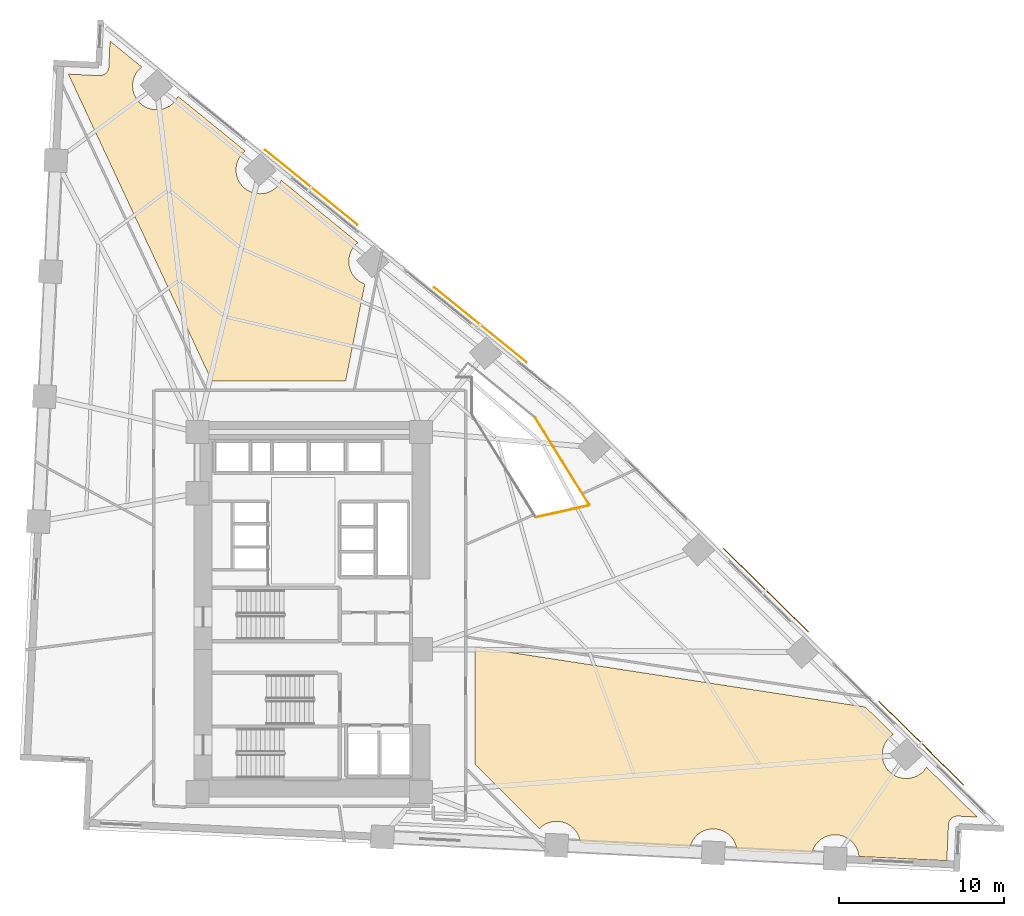
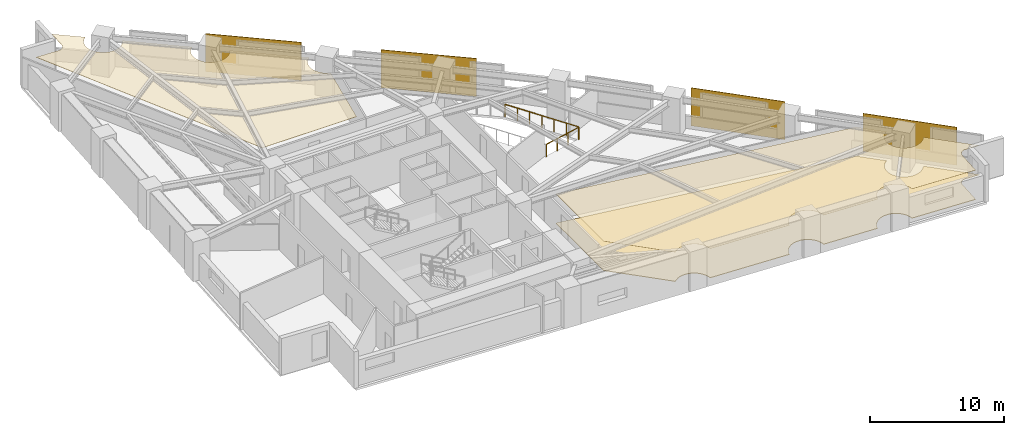
# One storey, part 17 of 17: 4 shading devices, 3 coverings, 2 railings.
"""IFC4 building model written with IfcOpenShell, lengths in metres."""

import ifcopenshell
import ifcopenshell.guid

model = None  # the IFC model being written
_history = None  # IfcOwnerHistory: only IFC2X3 demands one
_inside = {}  # id of a spatial element -> (the spatial element, [elements in it])
_under = {}  # id of a project, library or spatial element -> (it, [spatial elements below it])
_declared = {}  # id of a project -> (the project, [libraries it declares])
_typed = {}  # id of a type object -> (the type object, [elements of that type])
_made_of = {}  # id of a material, layer set ... -> (it, [elements and type objects made of it])


def new_model(schema):
    """Start an empty IFC model of exactly this schema.

    Asked for "IFC4X3", IfcOpenShell would pick the latest addendum, in which some entities
    have other attributes; the version numbers below select the first issue.
    IFC2X3 requires an IfcOwnerHistory on every rooted entity: one is made here for all.
    """
    global model, _history
    if schema == "IFC4X3":
        model = ifcopenshell.file(schema_version=(4, 3, 0, 0))
    else:
        model = ifcopenshell.file(schema=schema)
    _inside.clear()
    _under.clear()
    _declared.clear()
    _typed.clear()
    _made_of.clear()
    _history = None
    if model.schema == "IFC2X3":
        org = make("IfcOrganization", Name="unknown")
        user = make(
            "IfcPersonAndOrganization",
            ThePerson=make("IfcPerson", FamilyName="unknown"),
            TheOrganization=org,
        )
        app = make(
            "IfcApplication",
            ApplicationDeveloper=org,
            Version="unknown",
            ApplicationFullName="unknown",
            ApplicationIdentifier="unknown",
        )
        _history = make(
            "IfcOwnerHistory",
            OwningUser=user,
            OwningApplication=app,
            ChangeAction="ADDED",
            CreationDate=0,
        )
    return model


def make(cls, **values):
    """One entity of the class cls with the attributes given. An attribute that is None is left unset."""
    return model.create_entity(
        cls, **{name: value for name, value in values.items() if value is not None}
    )


def rooted(cls, **values):
    """An entity with a GlobalId (a new one), such as an element, a storey or a relation."""
    return make(cls, GlobalId=ifcopenshell.guid.new(), OwnerHistory=_history, **values)


def si_unit(unit_type, name, prefix=None):
    """IfcSIUnit, for example si_unit("LENGTHUNIT", "METRE", prefix="MILLI")."""
    return make("IfcSIUnit", UnitType=unit_type, Prefix=prefix, Name=name)


def assignment(units):
    """IfcUnitAssignment: the units of a project."""
    return None if units is None else make("IfcUnitAssignment", Units=units)


def point(xyz):
    """IfcCartesianPoint."""
    return None if xyz is None else make("IfcCartesianPoint", Coordinates=xyz)


def direction(xyz):
    """IfcDirection."""
    return None if xyz is None else make("IfcDirection", DirectionRatios=xyz)


def frame(location, z_axis=None, x_axis=None):
    """IfcAxis2Placement3D, a coordinate frame: its origin and axes. An axis left out is left unset."""
    return make(
        "IfcAxis2Placement3D",
        Location=point(location),
        Axis=direction(z_axis),
        RefDirection=direction(x_axis),
    )


def frame_2d(location, x_axis=None):
    """IfcAxis2Placement2D, a coordinate frame in the plane: its origin and x axis."""
    return make(
        "IfcAxis2Placement2D", Location=point(location), RefDirection=direction(x_axis)
    )


def origin():
    """The frame at (0, 0, 0) with its axes left unset."""
    return frame((0.0, 0.0, 0.0))


def origin_2d():
    """The frame at (0, 0) in the plane with its x axis left unset."""
    return frame_2d((0.0, 0.0))


def place(relative_to, where):
    """IfcLocalPlacement: puts the frame where relative to a parent placement (None: the world)."""
    return make(
        "IfcLocalPlacement", PlacementRelTo=relative_to, RelativePlacement=where
    )


def context(
    kind, dimensions, precision=None, world=None, true_north=None, identifier=None
):
    """IfcGeometricRepresentationContext, for example the 3D "Model" context."""
    return make(
        "IfcGeometricRepresentationContext",
        ContextIdentifier=identifier,
        ContextType=kind,
        CoordinateSpaceDimension=dimensions,
        Precision=precision,
        WorldCoordinateSystem=world,
        TrueNorth=true_north,
    )


def subcontext(parent, identifier, kind, view, scale=None):
    """IfcGeometricRepresentationSubContext, for example "Body" below "Model"."""
    return make(
        "IfcGeometricRepresentationSubContext",
        ContextIdentifier=identifier,
        ContextType=kind,
        ParentContext=parent,
        TargetScale=scale,
        TargetView=view,
    )


def project(units=None, contexts=None):
    """IfcProject with its units and contexts."""
    return rooted(
        "IfcProject",
        Name="project",
        RepresentationContexts=contexts,
        UnitsInContext=assignment(units),
    )


def spatial(cls, under=None, at=None, **own):
    """A site, building, storey or space (cls), placed at a placement, below another one or the project."""
    s = rooted(cls, ObjectPlacement=at, **own)
    if under is not None:
        _under.setdefault(under.id(), (under, []))[1].append(s)
    return s


def polyline(points):
    """IfcPolyline through the points."""
    return make("IfcPolyline", Points=[point(p) for p in points])


def profile(cls, at=None, kind="AREA", **sizes):
    """A parametric profile (cls). Its sizes go by their IFC names, for example OverallWidth=200.0."""
    return make(cls, ProfileType=kind, Position=at, **sizes)


def rectangle(**sizes):
    """IfcRectangleProfileDef."""
    return profile("IfcRectangleProfileDef", **sizes)


def circle(**sizes):
    """IfcCircleProfileDef."""
    return profile("IfcCircleProfileDef", **sizes)


def outline(outer, holes=None, kind="AREA"):
    """IfcArbitraryClosedProfileDef: a profile drawn as a closed curve; with holes, ...WithVoids."""
    if holes is None:
        return make("IfcArbitraryClosedProfileDef", ProfileType=kind, OuterCurve=outer)
    return make(
        "IfcArbitraryProfileDefWithVoids",
        ProfileType=kind,
        OuterCurve=outer,
        InnerCurves=holes,
    )


def extrude(swept, where, along, depth):
    """IfcExtrudedAreaSolid: the profile swept, set in the frame where, extruded along a direction by depth."""
    return make(
        "IfcExtrudedAreaSolid",
        SweptArea=swept,
        Position=where,
        ExtrudedDirection=direction(along),
        Depth=depth,
    )


def shape(context_of_items, identifier, shape_type, items):
    """IfcShapeRepresentation: the items that make up one representation, for example the "Body"."""
    return make(
        "IfcShapeRepresentation",
        ContextOfItems=context_of_items,
        RepresentationIdentifier=identifier,
        RepresentationType=shape_type,
        Items=items,
    )


def material(Name=None, Category=None):
    """IfcMaterial."""
    return make("IfcMaterial", Name=Name, Category=Category)


def layer(
    of_material, thickness, ventilated=None, Name=None, Category=None, Priority=None
):
    """IfcMaterialLayer: one layer of a wall or slab, of a material (None: an air gap)."""
    return make(
        "IfcMaterialLayer",
        Material=of_material,
        LayerThickness=thickness,
        IsVentilated=ventilated,
        Name=Name,
        Category=Category,
        Priority=Priority,
    )


def layer_set(layers, Name=None):
    """IfcMaterialLayerSet."""
    return make("IfcMaterialLayerSet", MaterialLayers=layers, LayerSetName=Name)


def made_of(thing, what):
    """Note that an element or type object is made of a material, layer set ...; save() writes the relation."""
    if what is not None:
        _made_of.setdefault(what.id(), (what, []))[1].append(thing)
    return thing


def type_object(cls, material=None, **own):
    """A type object (cls), such as IfcWallType, which elements share."""
    return made_of(rooted(cls, **own), material)


def element(
    cls,
    number,
    at=None,
    inside=None,
    cuts=None,
    type_object=None,
    material=None,
    context=None,
    identifier="Body",
    shape_type=None,
    held_by="IfcProductDefinitionShape",
    body=None,
    shapes=None,
    **own,
):
    """One element of the class cls, such as IfcWall. Its Tag is "e" and its number.

    at: its placement. inside: the storey or other place that contains it. cuts: it is an
    opening in that element (IfcRelVoidsElement). A single representation is given by context,
    identifier, shape_type and body (its items); several are given by shapes. held_by: the class
    of the entity that holds the representations. save() writes the other relations.
    """
    e = rooted(cls, Tag="e%d" % number, ObjectPlacement=at, **own)
    if body is not None:
        shapes = [shape(context, identifier, shape_type, body)]
    if shapes is not None:
        e.Representation = make(held_by, Representations=shapes)
    if inside is not None:
        _inside.setdefault(inside.id(), (inside, []))[1].append(e)
    if cuts is not None:
        rooted(
            "IfcRelVoidsElement", RelatingBuildingElement=cuts, RelatedOpeningElement=e
        )
    if type_object is not None:
        _typed.setdefault(type_object.id(), (type_object, []))[1].append(e)
    return made_of(e, material)


def aggregate(whole, parts):
    """IfcRelAggregates: a whole, such as a stair, and the parts it consists of."""
    return rooted("IfcRelAggregates", RelatingObject=whole, RelatedObjects=parts)


def save(model, path):
    """Write the relations noted so far, then the file.

    IfcRelAggregates (storeys below a building ...), IfcRelContainedInSpatialStructure (elements
    in a storey), IfcRelDefinesByType, IfcRelAssociatesMaterial and IfcRelDeclares: one each for
    every whole, place, type object, material and project.
    """
    for whole, parts in _under.values():
        aggregate(whole, parts)
    for where, things in _inside.values():
        rooted(
            "IfcRelContainedInSpatialStructure",
            RelatedElements=things,
            RelatingStructure=where,
        )
    for kind, things in _typed.values():
        rooted("IfcRelDefinesByType", RelatedObjects=things, RelatingType=kind)
    for what, things in _made_of.values():
        rooted("IfcRelAssociatesMaterial", RelatedObjects=things, RelatingMaterial=what)
    for by, libraries in _declared.values():
        rooted("IfcRelDeclares", RelatingContext=by, RelatedDefinitions=libraries)
    model.write(path)


model = new_model("IFC4")

# Units and contexts
model_context = context("Model", 3, precision=1e-05, world=origin(), true_north=direction((0.0, 1.0)))
body_context = subcontext(model_context, "Body", "Model", "MODEL_VIEW")
ifc_project = project(units=[si_unit("LENGTHUNIT", "METRE"), si_unit("AREAUNIT", "SQUARE_METRE"), si_unit("VOLUMEUNIT", "CUBIC_METRE"), si_unit("PLANEANGLEUNIT", "RADIAN"), si_unit("MASSUNIT", "GRAM", prefix="KILO")], contexts=[model_context])

# Site, building, storey
site_placement = place(None, origin())
site = spatial("IfcSite", under=ifc_project, at=site_placement, CompositionType="ELEMENT")
building_placement = place(site_placement, origin())
building = spatial("IfcBuilding", under=site, at=building_placement, Name="Narakoshi Arena Tower", CompositionType="ELEMENT")
storey_placement = place(building_placement, frame((0.0, 0.0, 33.89990234375)))
storey = spatial("IfcBuildingStorey", under=building, at=storey_placement, Name="L08", CompositionType="ELEMENT", Elevation=33.89990234375)

# Coverings
ifc_material_1 = material(Name="Acoustic mineral-fibre ceiling tile")
ifc_layer_1 = layer(ifc_material_1, 0.02001953125)
ifc_layer_set_1 = layer_set([ifc_layer_1], Name="Acoustic mineral-fibre ceiling tile")
covering_type_1 = type_object("IfcCoveringType", Name="COV-CLG-AC20", PredefinedType="CEILING", material=ifc_layer_set_1)
covering_1_placement = place(storey_placement, frame((0.0, 0.0, 2.670166015625)))
element("IfcCovering", 1, at=covering_1_placement, inside=storey, type_object=covering_type_1, Name="L08 Suspended Acoustic Ceiling 1", PredefinedType="CEILING", context=body_context, shape_type="SweptSolid", body=[
    extrude(outline(polyline([(118.080810546875, 33.24267578125), (118.02685546875, 33.24267578125), (117.97314453125, 33.2373046875), (117.920166015625, 33.226806640625), (117.868408203125, 33.2109375), (117.818603515625, 33.190185546875), (117.77099609375, 33.164794921875), (117.726318359375, 33.134765625), (117.6845703125, 33.100341796875), (117.646484375, 33.062255859375), (117.6123046875, 33.0205078125), (117.582275390625, 32.9755859375), (117.556884765625, 32.927978515625), (117.536376953125, 32.8779296875), (117.520751953125, 32.826416015625), (117.51025390625, 32.7734375), (117.5048828125, 32.7197265625), (117.400390625, 30.542236328125), (112.07958984375, 30.7978515625), (112.079345703125, 30.803955078125), (112.05859375, 30.94482421875), (112.02392578125, 31.082763671875), (111.97607421875, 31.216796875), (111.915283203125, 31.345458984375), (111.842041015625, 31.467529296875), (111.75732421875, 31.581787109375), (111.66162109375, 31.687255859375), (111.556396484375, 31.78271484375), (111.44189453125, 31.867431640625), (111.31982421875, 31.940673828125), (111.19140625, 32.00146484375), (111.057373046875, 32.049560546875), (110.919189453125, 32.083984375), (110.778564453125, 32.10498046875), (110.636474609375, 32.11181640625), (110.494384765625, 32.10498046875), (110.353515625, 32.083984375), (110.215576171875, 32.049560546875), (110.08154296875, 32.00146484375), (109.952880859375, 31.940673828125), (109.830810546875, 31.867431640625), (109.716552734375, 31.78271484375), (109.611083984375, 31.687255859375), (109.515380859375, 31.581787109375), (109.430908203125, 31.467529296875), (109.357666015625, 31.345458984375), (109.296875, 31.216796875), (109.248779296875, 31.082763671875), (109.21435546875, 30.94482421875), (109.212890625, 30.935546875), (104.6962890625, 31.15234375), (104.69580078125, 31.15869140625), (104.675048828125, 31.29931640625), (104.640380859375, 31.4375), (104.592529296875, 31.5712890625), (104.53173828125, 31.699951171875), (104.45849609375, 31.822021484375), (104.373779296875, 31.936279296875), (104.2783203125, 32.041748046875), (104.1728515625, 32.137451171875), (104.05859375, 32.22216796875), (103.936279296875, 32.29541015625), (103.807861328125, 32.356201171875), (103.673828125, 32.404052734375), (103.535888671875, 32.438720703125), (103.39501953125, 32.45947265625), (103.2529296875, 32.466552734375), (103.11083984375, 32.45947265625), (102.969970703125, 32.438720703125), (102.83203125, 32.404052734375), (102.697998046875, 32.356201171875), (102.5693359375, 32.29541015625), (102.447265625, 32.22216796875), (102.3330078125, 32.137451171875), (102.2275390625, 32.041748046875), (102.132080078125, 31.936279296875), (102.04736328125, 31.822021484375), (101.97412109375, 31.699951171875), (101.913330078125, 31.5712890625), (101.865234375, 31.4375), (101.830810546875, 31.29931640625), (101.829345703125, 31.290283203125), (95.203125, 31.6083984375), (95.202880859375, 31.614501953125), (95.181884765625, 31.75537109375), (95.1474609375, 31.893310546875), (95.099609375, 32.02734375), (95.038818359375, 32.156005859375), (94.965576171875, 32.278076171875), (94.880859375, 32.392333984375), (94.78515625, 32.497802734375), (94.6796875, 32.593505859375), (94.5654296875, 32.677978515625), (94.443359375, 32.751220703125), (94.314697265625, 32.81201171875), (94.180908203125, 32.860107421875), (94.042724609375, 32.89453125), (93.902099609375, 32.91552734375), (93.760009765625, 32.922607421875), (93.617919921875, 32.91552734375), (93.47705078125, 32.89453125), (93.339111328125, 32.860107421875), (93.205078125, 32.81201171875), (93.076416015625, 32.751220703125), (92.954345703125, 32.677978515625), (92.840087890625, 32.593505859375), (92.734619140625, 32.497802734375), (92.72802734375, 32.490478515625), (88.815673828125, 36.39599609375), (88.815673828125, 43.489990234375), (112.47509765625, 39.84814453125), (114.159912109375, 38.189453125), (114.13671875, 38.175537109375), (114.022216796875, 38.0908203125), (113.9169921875, 37.9951171875), (113.8212890625, 37.889892578125), (113.736572265625, 37.775390625), (113.663330078125, 37.6533203125), (113.6025390625, 37.52490234375), (113.5546875, 37.390869140625), (113.52001953125, 37.252685546875), (113.499267578125, 37.112060546875), (113.4921875, 36.969970703125), (113.499267578125, 36.827880859375), (113.52001953125, 36.68701171875), (113.5546875, 36.549072265625), (113.6025390625, 36.4150390625), (113.663330078125, 36.286376953125), (113.736572265625, 36.164306640625), (113.8212890625, 36.050048828125), (113.9169921875, 35.944580078125), (114.022216796875, 35.84912109375), (114.13671875, 35.764404296875), (114.2587890625, 35.691162109375), (114.38720703125, 35.63037109375), (114.521240234375, 35.582275390625), (114.6591796875, 35.5478515625), (114.800048828125, 35.52685546875), (114.942138671875, 35.52001953125), (115.084228515625, 35.52685546875), (115.22509765625, 35.5478515625), (115.363037109375, 35.582275390625), (115.4970703125, 35.63037109375), (115.625732421875, 35.691162109375), (115.747802734375, 35.764404296875), (115.862060546875, 35.84912109375), (115.967529296875, 35.944580078125), (116.06298828125, 36.050048828125), (116.147705078125, 36.164306640625), (116.17333984375, 36.206787109375), (119.239990234375, 33.18701171875), (118.080810546875, 33.24267578125)])), origin(), (0.0, 0.0, 1.0), 0.02001953125),
])
ifc_material_2 = material(Name="Slatted oak acoustic timber baffle", Category="wood")
ifc_layer_2 = layer(ifc_material_2, 0.034912109375)
ifc_layer_set_2 = layer_set([ifc_layer_2], Name="Slatted oak acoustic timber baffle")
covering_type_2 = type_object("IfcCoveringType", Name="COV-CLG-WD35", PredefinedType="CEILING", material=ifc_layer_set_2)
covering_2_placement = place(storey_placement, frame((0.0, 0.0, 2.655029296875)))
element("IfcCovering", 2, at=covering_2_placement, inside=storey, type_object=covering_type_2, Name="L08 Suspended Acoustic Ceiling 2", PredefinedType="CEILING", context=body_context, shape_type="SweptSolid", body=[
    extrude(outline(polyline([(66.06298828125, 78.10009765625), (66.1171875, 78.10009765625), (66.1708984375, 78.10546875), (66.2236328125, 78.1162109375), (66.275390625, 78.1318359375), (66.3251953125, 78.152587890625), (66.372802734375, 78.177978515625), (66.41748046875, 78.2080078125), (66.459228515625, 78.242431640625), (66.497314453125, 78.280517578125), (66.531494140625, 78.322265625), (66.5615234375, 78.3671875), (66.5869140625, 78.414794921875), (66.607666015625, 78.46484375), (66.623291015625, 78.516357421875), (66.633544921875, 78.5693359375), (66.638916015625, 78.623046875), (66.7138671875, 80.185302734375), (68.63623046875, 78.622802734375), (68.611083984375, 78.60400390625), (68.505615234375, 78.508544921875), (68.41015625, 78.403076171875), (68.325439453125, 78.288818359375), (68.252197265625, 78.166748046875), (68.19140625, 78.0380859375), (68.143310546875, 77.904052734375), (68.10888671875, 77.76611328125), (68.087890625, 77.625244140625), (68.0810546875, 77.483154296875), (68.087890625, 77.341064453125), (68.10888671875, 77.2001953125), (68.143310546875, 77.062255859375), (68.19140625, 76.92822265625), (68.252197265625, 76.7998046875), (68.325439453125, 76.677490234375), (68.41015625, 76.563232421875), (68.505615234375, 76.4580078125), (68.611083984375, 76.3623046875), (68.725341796875, 76.277587890625), (68.847412109375, 76.204345703125), (68.97607421875, 76.1435546875), (69.110107421875, 76.095703125), (69.248046875, 76.06103515625), (69.388916015625, 76.040283203125), (69.531005859375, 76.033203125), (69.673095703125, 76.040283203125), (69.81396484375, 76.06103515625), (69.951904296875, 76.095703125), (70.0859375, 76.1435546875), (70.214599609375, 76.204345703125), (70.336669921875, 76.277587890625), (70.450927734375, 76.3623046875), (70.556396484375, 76.4580078125), (70.65185546875, 76.563232421875), (70.736572265625, 76.677490234375), (70.809814453125, 76.7998046875), (70.8291015625, 76.84033203125), (74.899658203125, 73.531982421875), (74.87451171875, 73.51318359375), (74.76904296875, 73.417724609375), (74.67333984375, 73.312255859375), (74.588623046875, 73.197998046875), (74.515380859375, 73.075927734375), (74.45458984375, 72.947265625), (74.40673828125, 72.813232421875), (74.372314453125, 72.67529296875), (74.351318359375, 72.534423828125), (74.34423828125, 72.392333984375), (74.351318359375, 72.250244140625), (74.372314453125, 72.109619140625), (74.40673828125, 71.971435546875), (74.45458984375, 71.83740234375), (74.515380859375, 71.708984375), (74.588623046875, 71.5869140625), (74.67333984375, 71.472412109375), (74.76904296875, 71.3671875), (74.87451171875, 71.271484375), (74.98876953125, 71.186767578125), (75.11083984375, 71.113525390625), (75.239501953125, 71.052734375), (75.373291015625, 71.0048828125), (75.511474609375, 70.97021484375), (75.652099609375, 70.949462890625), (75.794189453125, 70.9423828125), (75.936279296875, 70.949462890625), (76.0771484375, 70.97021484375), (76.215087890625, 71.0048828125), (76.34912109375, 71.052734375), (76.477783203125, 71.113525390625), (76.599853515625, 71.186767578125), (76.714111328125, 71.271484375), (76.819580078125, 71.3671875), (76.915283203125, 71.472412109375), (77.0, 71.5869140625), (77.072998046875, 71.708984375), (77.09228515625, 71.749755859375), (81.732421875, 67.978271484375), (81.70703125, 67.959716796875), (81.601806640625, 67.864013671875), (81.506103515625, 67.758544921875), (81.42138671875, 67.644287109375), (81.34814453125, 67.522216796875), (81.287353515625, 67.3935546875), (81.239501953125, 67.259521484375), (81.204833984375, 67.12158203125), (81.18408203125, 66.980712890625), (81.177001953125, 66.838623046875), (81.18408203125, 66.696533203125), (81.204833984375, 66.555908203125), (81.239501953125, 66.417724609375), (81.287353515625, 66.28369140625), (81.34814453125, 66.1552734375), (81.42138671875, 66.033203125), (81.506103515625, 65.918701171875), (81.601806640625, 65.8134765625), (81.70703125, 65.7177734375), (81.8212890625, 65.633056640625), (81.943603515625, 65.559814453125), (82.072021484375, 65.4990234375), (82.144287109375, 65.473388671875), (80.985107421875, 59.592529296875), (72.880615234375, 59.592529296875), (64.188720703125, 78.190185546875), (66.06298828125, 78.10009765625)])), origin(), (0.0, 0.0, 1.0), 0.03515625),
])
ifc_material_3 = material(Name="Raised steel access floor panel", Category="steel")
ifc_layer_3 = layer(ifc_material_3, 0.044921875)
ifc_layer_set_3 = layer_set([ifc_layer_3], Name="Raised steel access floor panel")
covering_type_3 = type_object("IfcCoveringType", Name="COV-FLR-RF45", PredefinedType="FLOORING", material=ifc_layer_set_3)
covering_3_placement = place(storey_placement, origin())
element("IfcCovering", 3, at=covering_3_placement, inside=storey, type_object=covering_type_3, Name="L08 Raised Steel Access Floor", PredefinedType="FLOORING", context=body_context, shape_type="SweptSolid", body=[
    extrude(outline(polyline([(118.080810546875, 33.24267578125), (118.02685546875, 33.24267578125), (117.97314453125, 33.2373046875), (117.920166015625, 33.226806640625), (117.868408203125, 33.2109375), (117.818603515625, 33.190185546875), (117.77099609375, 33.164794921875), (117.726318359375, 33.134765625), (117.6845703125, 33.100341796875), (117.646484375, 33.062255859375), (117.6123046875, 33.0205078125), (117.582275390625, 32.9755859375), (117.556884765625, 32.927978515625), (117.536376953125, 32.8779296875), (117.520751953125, 32.826416015625), (117.51025390625, 32.7734375), (117.5048828125, 32.7197265625), (117.400390625, 30.542236328125), (112.07958984375, 30.7978515625), (112.079345703125, 30.803955078125), (112.05859375, 30.94482421875), (112.02392578125, 31.082763671875), (111.97607421875, 31.216796875), (111.915283203125, 31.345458984375), (111.842041015625, 31.467529296875), (111.75732421875, 31.581787109375), (111.66162109375, 31.687255859375), (111.556396484375, 31.78271484375), (111.44189453125, 31.867431640625), (111.31982421875, 31.940673828125), (111.19140625, 32.00146484375), (111.057373046875, 32.049560546875), (110.919189453125, 32.083984375), (110.778564453125, 32.10498046875), (110.636474609375, 32.11181640625), (110.494384765625, 32.10498046875), (110.353515625, 32.083984375), (110.215576171875, 32.049560546875), (110.08154296875, 32.00146484375), (109.952880859375, 31.940673828125), (109.830810546875, 31.867431640625), (109.716552734375, 31.78271484375), (109.611083984375, 31.687255859375), (109.515380859375, 31.581787109375), (109.430908203125, 31.467529296875), (109.357666015625, 31.345458984375), (109.296875, 31.216796875), (109.248779296875, 31.082763671875), (109.21435546875, 30.94482421875), (109.212890625, 30.935546875), (104.6962890625, 31.15234375), (104.69580078125, 31.15869140625), (104.675048828125, 31.29931640625), (104.640380859375, 31.4375), (104.592529296875, 31.5712890625), (104.53173828125, 31.699951171875), (104.45849609375, 31.822021484375), (104.373779296875, 31.936279296875), (104.2783203125, 32.041748046875), (104.1728515625, 32.137451171875), (104.05859375, 32.22216796875), (103.936279296875, 32.29541015625), (103.807861328125, 32.356201171875), (103.673828125, 32.404052734375), (103.535888671875, 32.438720703125), (103.39501953125, 32.45947265625), (103.2529296875, 32.466552734375), (103.11083984375, 32.45947265625), (102.969970703125, 32.438720703125), (102.83203125, 32.404052734375), (102.697998046875, 32.356201171875), (102.5693359375, 32.29541015625), (102.447265625, 32.22216796875), (102.3330078125, 32.137451171875), (102.2275390625, 32.041748046875), (102.132080078125, 31.936279296875), (102.04736328125, 31.822021484375), (101.97412109375, 31.699951171875), (101.913330078125, 31.5712890625), (101.865234375, 31.4375), (101.830810546875, 31.29931640625), (101.829345703125, 31.290283203125), (95.203125, 31.6083984375), (95.202880859375, 31.614501953125), (95.181884765625, 31.75537109375), (95.1474609375, 31.893310546875), (95.099609375, 32.02734375), (95.038818359375, 32.156005859375), (94.965576171875, 32.278076171875), (94.880859375, 32.392333984375), (94.78515625, 32.497802734375), (94.6796875, 32.593505859375), (94.5654296875, 32.677978515625), (94.443359375, 32.751220703125), (94.314697265625, 32.81201171875), (94.180908203125, 32.860107421875), (94.042724609375, 32.89453125), (93.902099609375, 32.91552734375), (93.760009765625, 32.922607421875), (93.617919921875, 32.91552734375), (93.47705078125, 32.89453125), (93.339111328125, 32.860107421875), (93.205078125, 32.81201171875), (93.076416015625, 32.751220703125), (92.954345703125, 32.677978515625), (92.840087890625, 32.593505859375), (92.734619140625, 32.497802734375), (92.72802734375, 32.490478515625), (88.815673828125, 36.39599609375), (88.815673828125, 43.489990234375), (112.47509765625, 39.84814453125), (114.159912109375, 38.189453125), (114.13671875, 38.175537109375), (114.022216796875, 38.0908203125), (113.9169921875, 37.9951171875), (113.8212890625, 37.889892578125), (113.736572265625, 37.775390625), (113.663330078125, 37.6533203125), (113.6025390625, 37.52490234375), (113.5546875, 37.390869140625), (113.52001953125, 37.252685546875), (113.499267578125, 37.112060546875), (113.4921875, 36.969970703125), (113.499267578125, 36.827880859375), (113.52001953125, 36.68701171875), (113.5546875, 36.549072265625), (113.6025390625, 36.4150390625), (113.663330078125, 36.286376953125), (113.736572265625, 36.164306640625), (113.8212890625, 36.050048828125), (113.9169921875, 35.944580078125), (114.022216796875, 35.84912109375), (114.13671875, 35.764404296875), (114.2587890625, 35.691162109375), (114.38720703125, 35.63037109375), (114.521240234375, 35.582275390625), (114.6591796875, 35.5478515625), (114.800048828125, 35.52685546875), (114.942138671875, 35.52001953125), (115.084228515625, 35.52685546875), (115.22509765625, 35.5478515625), (115.363037109375, 35.582275390625), (115.4970703125, 35.63037109375), (115.625732421875, 35.691162109375), (115.747802734375, 35.764404296875), (115.862060546875, 35.84912109375), (115.967529296875, 35.944580078125), (116.06298828125, 36.050048828125), (116.147705078125, 36.164306640625), (116.17333984375, 36.206787109375), (119.239990234375, 33.18701171875), (118.080810546875, 33.24267578125)])), origin(), (0.0, 0.0, 1.0), 0.045166015625),
])

# Railings
ifc_material_4 = material(Name="Brushed bronze stainless steel", Category="steel")
railing_type = type_object("IfcRailingType", Name="RL-GRD-1150", PredefinedType="GUARDRAIL", material=ifc_material_4)
railing_1_placement = place(storey_placement, frame((92.4658203125, 57.3818359375, 0.0)))
element("IfcRailing", 4, at=railing_1_placement, inside=storey, type_object=railing_type, Name="L08 Sky-Garden Atrium Void Guardrail 6", PredefinedType="GUARDRAIL", context=body_context, shape_type="SweptSolid", body=[
    extrude(circle(Radius=0.02392578125, at=origin_2d()), frame((0.0, 0.0, 1.1259765625), z_axis=(0.527635914903, -0.849470624157, 0.0), x_axis=(0.849470624157, 0.527635914903, 0.0)), (0.0, 0.0, 1.0), 6.208984375),
    extrude(circle(Radius=0.02099609375, at=origin_2d()), origin(), (0.0, 0.0, 1.0), 1.101806640625),
    extrude(circle(Radius=0.02099609375, at=origin_2d()), frame((0.5458984375, -0.879150390625, 0.0)), (0.0, 0.0, 1.0), 1.101806640625),
    extrude(circle(Radius=0.02099609375, at=origin_2d()), frame((1.092041015625, -1.758056640625, 0.0)), (0.0, 0.0, 1.0), 1.101806640625),
    extrude(circle(Radius=0.02099609375, at=origin_2d()), frame((1.63818359375, -2.63720703125, 0.0)), (0.0, 0.0, 1.0), 1.101806640625),
    extrude(circle(Radius=0.02099609375, at=origin_2d()), frame((2.18408203125, -3.516357421875, 0.0)), (0.0, 0.0, 1.0), 1.101806640625),
    extrude(circle(Radius=0.02099609375, at=origin_2d()), frame((2.72998046875, -4.395263671875, 0.0)), (0.0, 0.0, 1.0), 1.101806640625),
    extrude(circle(Radius=0.02099609375, at=origin_2d()), frame((3.276123046875, -5.2744140625, 0.0)), (0.0, 0.0, 1.0), 1.101806640625),
])
railing_2_placement = place(storey_placement, frame((95.72412109375, 52.064453125, 0.0)))
element("IfcRailing", 5, at=railing_2_placement, inside=storey, type_object=railing_type, Name="L08 Sky-Garden Atrium Void Guardrail 7", PredefinedType="GUARDRAIL", context=body_context, shape_type="SweptSolid", body=[
    extrude(circle(Radius=0.02392578125, at=origin_2d()), frame((0.0, 0.0, 1.1259765625), z_axis=(-0.975700925248, -0.219106605264, 0.0), x_axis=(0.219106605264, -0.975700925248, 0.0)), (0.0, 0.0, 1.0), 3.265869140625),
    extrude(circle(Radius=0.02099609375, at=origin_2d()), origin(), (0.0, 0.0, 1.0), 1.101806640625),
    extrude(circle(Radius=0.02099609375, at=origin_2d()), frame((-1.062255859375, -0.238525390625, 0.0)), (0.0, 0.0, 1.0), 1.101806640625),
    extrude(circle(Radius=0.02099609375, at=origin_2d()), frame((-2.124267578125, -0.47705078125, 0.0)), (0.0, 0.0, 1.0), 1.101806640625),
    extrude(circle(Radius=0.02099609375, at=origin_2d()), frame((-3.1865234375, -0.715576171875, 0.0)), (0.0, 0.0, 1.0), 1.101806640625),
])

# Shading devices
ifc_material_5 = material(Name="Perforated bronze ceramic-metal composite")
ifc_layer_4 = layer(ifc_material_5, 0.044921875)
ifc_layer_set_4 = layer_set([ifc_layer_4], Name="Perforated bronze ceramic-metal composite")
shading_device_type = type_object("IfcShadingDeviceType", Name="SHD-SCR-BRZ1", PredefinedType="USERDEFINED", material=ifc_layer_set_4)
for number, where, z_axis, x_axis, name in (
    (6, (115.85498046875, 37.660400390625, 0.0), (0.0, 0.0, 1.0), (-0.712540559713, 0.70163092204, 0.0), "L08 Perforated Bronze Solar Screen 1-1"),
    (7, (106.44970703125, 46.921875, 0.0), (0.0, 0.0, 1.0), (-0.712540559713, 0.70163092204, 0.0), "L08 Perforated Bronze Solar Screen 1-2"),
    (8, (89.14208984375, 63.002685546875, 0.0), (0.0, 0.0, 1.0), (-0.776002375698, 0.630729984154, 0.0), "L08 Perforated Bronze Solar Screen 2-1"),
    (9, (78.898681640625, 71.328369140625, 0.0), (0.0, 0.0, 1.0), (-0.776002375698, 0.630729984154, 0.0), "L08 Perforated Bronze Solar Screen 2-2"),
):
    element("IfcShadingDevice", number, at=place(storey_placement, frame(where, z_axis=z_axis, x_axis=x_axis)), inside=storey, type_object=shading_device_type, Name=name, ObjectType="SOLAR SCREEN", PredefinedType="USERDEFINED", context=body_context, shape_type="SweptSolid", body=[
        extrude(rectangle(XDim=7.199951171875, YDim=0.044921875, at=origin_2d()), origin(), (0.0, 0.0, 1.0), 3.449951171875),
    ])

save(model, "model.ifc")
